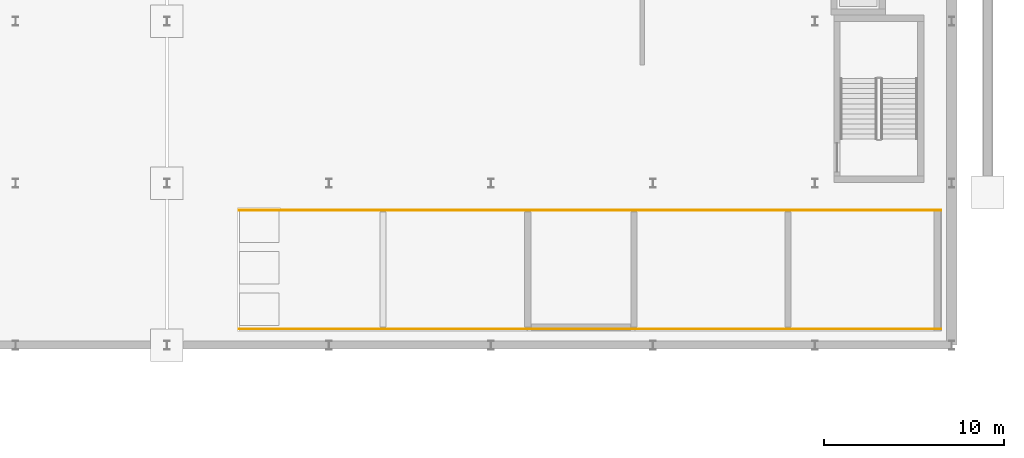
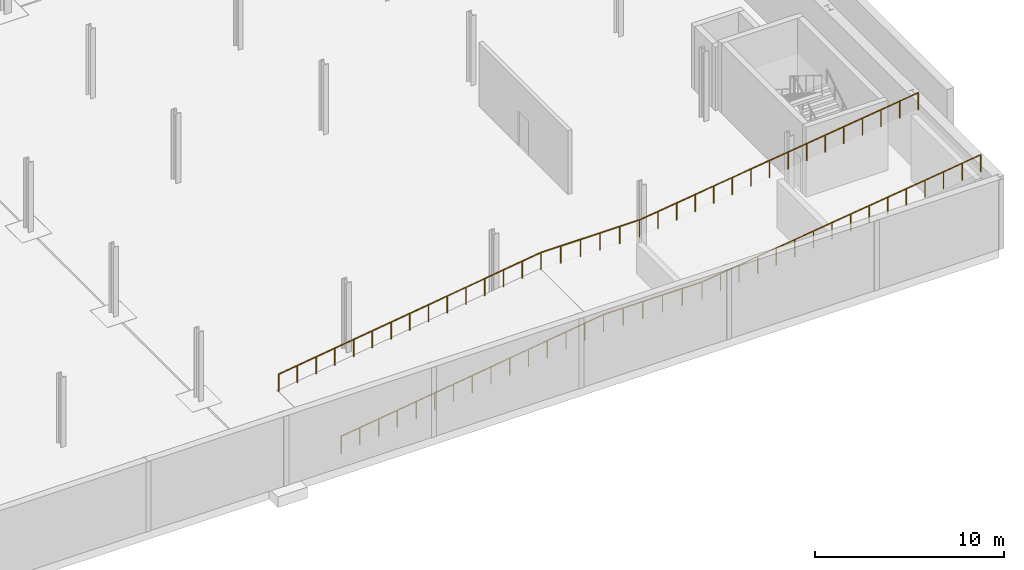
# One storey, part 42 of 45: 2 railings.
"""IFC4 building model written with IfcOpenShell, lengths in metres."""

from ifc_helpers import new_model, si_unit, direction, frame, origin, origin_2d, place, context, subcontext, project, spatial, circle, extrude, material, type_object, element, save


model = new_model("IFC4")

# Units and contexts
model_context = context("Model", 3, precision=1e-05, world=origin(), true_north=direction((0.0, 1.0)))
body_context = subcontext(model_context, "Body", "Model", "MODEL_VIEW")
ifc_project = project(units=[si_unit("LENGTHUNIT", "METRE"), si_unit("AREAUNIT", "SQUARE_METRE"), si_unit("VOLUMEUNIT", "CUBIC_METRE"), si_unit("PLANEANGLEUNIT", "RADIAN"), si_unit("MASSUNIT", "GRAM", prefix="KILO")], contexts=[model_context])

# Site, building, storey
site_placement = place(None, origin())
site = spatial("IfcSite", under=ifc_project, at=site_placement, CompositionType="ELEMENT")
building_placement = place(site_placement, origin())
building = spatial("IfcBuilding", under=site, at=building_placement, Name="Sefraquen Railside Congress Hotel", CompositionType="ELEMENT")
storey_placement = place(building_placement, frame((0.0, 0.0, -4.5)))
storey = spatial("IfcBuildingStorey", under=building, at=storey_placement, Name="B01", CompositionType="ELEMENT", Elevation=-4.5)

# Railings
ifc_material = material(Name="Patinated wrought architectural bronze", Category="metal")
railing_type = type_object("IfcRailingType", Name="TRL-BAL-110", PredefinedType="BALUSTRADE", material=ifc_material)
railing_1_placement = place(storey_placement, frame((132.39990234375, 9.89990234375, 0.0)))
element("IfcRailing", 1, at=railing_1_placement, inside=storey, type_object=railing_type, Name="Vehicle ramp south protective guard", PredefinedType="BALUSTRADE", context=body_context, shape_type="SweptSolid", body=[
    extrude(circle(Radius=0.02392578125, at=origin_2d()), frame((0.0, 0.0, 1.09619140625), z_axis=(0.990256578838, 0.0, 0.139254831399), x_axis=(0.0, 1.0, 0.0)), (0.0, 0.0, 1.0), 16.157470703125),
    extrude(circle(Radius=0.02392578125, at=origin_2d()), frame((16.0, 0.0, 3.34619140625), z_axis=(1.0, 0.0, 0.0), x_axis=(0.0, 1.0, 0.0)), (0.0, 0.0, 1.0), 6.0),
    extrude(circle(Radius=0.02392578125, at=origin_2d()), frame((22.0, 0.0, 3.34619140625), z_axis=(0.99135476599, 0.0, 0.131208719028), x_axis=(0.0, 1.0, 0.0)), (0.0, 0.0, 1.0), 17.148193359375),
    extrude(circle(Radius=0.02099609375, at=origin_2d()), origin(), (0.0, 0.0, 1.0), 1.072021484375),
    extrude(circle(Radius=0.02099609375, at=origin_2d()), frame((1.142822265625, 0.0, 0.16064453125)), (0.0, 0.0, 1.0), 1.072021484375),
    extrude(circle(Radius=0.02099609375, at=origin_2d()), frame((2.28564453125, 0.0, 0.321533203125)), (0.0, 0.0, 1.0), 1.072021484375),
    extrude(circle(Radius=0.02099609375, at=origin_2d()), frame((3.428466796875, 0.0, 0.482177734375)), (0.0, 0.0, 1.0), 1.072021484375),
    extrude(circle(Radius=0.02099609375, at=origin_2d()), frame((4.571533203125, 0.0, 0.642822265625)), (0.0, 0.0, 1.0), 1.072021484375),
    extrude(circle(Radius=0.02099609375, at=origin_2d()), frame((5.71435546875, 0.0, 0.803466796875)), (0.0, 0.0, 1.0), 1.072021484375),
    extrude(circle(Radius=0.02099609375, at=origin_2d()), frame((6.857177734375, 0.0, 0.96435546875)), (0.0, 0.0, 1.0), 1.072021484375),
    extrude(circle(Radius=0.02099609375, at=origin_2d()), frame((8.0, 0.0, 1.125)), (0.0, 0.0, 1.0), 1.072021484375),
    extrude(circle(Radius=0.02099609375, at=origin_2d()), frame((9.142822265625, 0.0, 1.28564453125)), (0.0, 0.0, 1.0), 1.072021484375),
    extrude(circle(Radius=0.02099609375, at=origin_2d()), frame((10.28564453125, 0.0, 1.446533203125)), (0.0, 0.0, 1.0), 1.072021484375),
    extrude(circle(Radius=0.02099609375, at=origin_2d()), frame((11.428466796875, 0.0, 1.607177734375)), (0.0, 0.0, 1.0), 1.072021484375),
    extrude(circle(Radius=0.02099609375, at=origin_2d()), frame((12.571533203125, 0.0, 1.767822265625)), (0.0, 0.0, 1.0), 1.072021484375),
    extrude(circle(Radius=0.02099609375, at=origin_2d()), frame((13.71435546875, 0.0, 1.928466796875)), (0.0, 0.0, 1.0), 1.072021484375),
    extrude(circle(Radius=0.02099609375, at=origin_2d()), frame((14.857177734375, 0.0, 2.08935546875)), (0.0, 0.0, 1.0), 1.072021484375),
    extrude(circle(Radius=0.02099609375, at=origin_2d()), frame((16.0, 0.0, 2.25)), (0.0, 0.0, 1.0), 1.072021484375),
    extrude(circle(Radius=0.02099609375, at=origin_2d()), frame((17.199951171875, 0.0, 2.25)), (0.0, 0.0, 1.0), 1.072021484375),
    extrude(circle(Radius=0.02099609375, at=origin_2d()), frame((18.39990234375, 0.0, 2.25)), (0.0, 0.0, 1.0), 1.072021484375),
    extrude(circle(Radius=0.02099609375, at=origin_2d()), frame((19.60009765625, 0.0, 2.25)), (0.0, 0.0, 1.0), 1.072021484375),
    extrude(circle(Radius=0.02099609375, at=origin_2d()), frame((20.800048828125, 0.0, 2.25)), (0.0, 0.0, 1.0), 1.072021484375),
    extrude(circle(Radius=0.02099609375, at=origin_2d()), frame((22.0, 0.0, 2.25)), (0.0, 0.0, 1.0), 1.072021484375),
    extrude(circle(Radius=0.02099609375, at=origin_2d()), frame((23.13330078125, 0.0, 2.39990234375)), (0.0, 0.0, 1.0), 1.072021484375),
    extrude(circle(Radius=0.02099609375, at=origin_2d()), frame((24.2666015625, 0.0, 2.550048828125)), (0.0, 0.0, 1.0), 1.072021484375),
    extrude(circle(Radius=0.02099609375, at=origin_2d()), frame((25.39990234375, 0.0, 2.699951171875)), (0.0, 0.0, 1.0), 1.072021484375),
    extrude(circle(Radius=0.02099609375, at=origin_2d()), frame((26.533447265625, 0.0, 2.85009765625)), (0.0, 0.0, 1.0), 1.072021484375),
    extrude(circle(Radius=0.02099609375, at=origin_2d()), frame((27.666748046875, 0.0, 3.0)), (0.0, 0.0, 1.0), 1.072021484375),
    extrude(circle(Radius=0.02099609375, at=origin_2d()), frame((28.800048828125, 0.0, 3.14990234375)), (0.0, 0.0, 1.0), 1.072021484375),
    extrude(circle(Radius=0.02099609375, at=origin_2d()), frame((29.933349609375, 0.0, 3.300048828125)), (0.0, 0.0, 1.0), 1.072021484375),
    extrude(circle(Radius=0.02099609375, at=origin_2d()), frame((31.066650390625, 0.0, 3.449951171875)), (0.0, 0.0, 1.0), 1.072021484375),
    extrude(circle(Radius=0.02099609375, at=origin_2d()), frame((32.199951171875, 0.0, 3.60009765625)), (0.0, 0.0, 1.0), 1.072021484375),
    extrude(circle(Radius=0.02099609375, at=origin_2d()), frame((33.333251953125, 0.0, 3.75)), (0.0, 0.0, 1.0), 1.072021484375),
    extrude(circle(Radius=0.02099609375, at=origin_2d()), frame((34.466552734375, 0.0, 3.89990234375)), (0.0, 0.0, 1.0), 1.072021484375),
    extrude(circle(Radius=0.02099609375, at=origin_2d()), frame((35.60009765625, 0.0, 4.050048828125)), (0.0, 0.0, 1.0), 1.072021484375),
    extrude(circle(Radius=0.02099609375, at=origin_2d()), frame((36.7333984375, 0.0, 4.199951171875)), (0.0, 0.0, 1.0), 1.072021484375),
    extrude(circle(Radius=0.02099609375, at=origin_2d()), frame((37.86669921875, 0.0, 4.35009765625)), (0.0, 0.0, 1.0), 1.072021484375),
    extrude(circle(Radius=0.02099609375, at=origin_2d()), frame((39.0, 0.0, 4.5)), (0.0, 0.0, 1.0), 1.072021484375),
])
railing_2_placement = place(storey_placement, frame((132.39990234375, 16.5, 0.0)))
element("IfcRailing", 2, at=railing_2_placement, inside=storey, type_object=railing_type, Name="Vehicle ramp north protective guard", PredefinedType="BALUSTRADE", context=body_context, shape_type="SweptSolid", body=[
    extrude(circle(Radius=0.02392578125, at=origin_2d()), frame((0.0, 0.0, 1.09619140625), z_axis=(0.990256578838, 0.0, 0.139254831399), x_axis=(0.0, 1.0, 0.0)), (0.0, 0.0, 1.0), 16.157470703125),
    extrude(circle(Radius=0.02392578125, at=origin_2d()), frame((16.0, 0.0, 3.34619140625), z_axis=(1.0, 0.0, 0.0), x_axis=(0.0, 1.0, 0.0)), (0.0, 0.0, 1.0), 6.0),
    extrude(circle(Radius=0.02392578125, at=origin_2d()), frame((22.0, 0.0, 3.34619140625), z_axis=(0.99135476599, 0.0, 0.131208719028), x_axis=(0.0, 1.0, 0.0)), (0.0, 0.0, 1.0), 17.148193359375),
    extrude(circle(Radius=0.02099609375, at=origin_2d()), origin(), (0.0, 0.0, 1.0), 1.072021484375),
    extrude(circle(Radius=0.02099609375, at=origin_2d()), frame((1.142822265625, 0.0, 0.16064453125)), (0.0, 0.0, 1.0), 1.072021484375),
    extrude(circle(Radius=0.02099609375, at=origin_2d()), frame((2.28564453125, 0.0, 0.321533203125)), (0.0, 0.0, 1.0), 1.072021484375),
    extrude(circle(Radius=0.02099609375, at=origin_2d()), frame((3.428466796875, 0.0, 0.482177734375)), (0.0, 0.0, 1.0), 1.072021484375),
    extrude(circle(Radius=0.02099609375, at=origin_2d()), frame((4.571533203125, 0.0, 0.642822265625)), (0.0, 0.0, 1.0), 1.072021484375),
    extrude(circle(Radius=0.02099609375, at=origin_2d()), frame((5.71435546875, 0.0, 0.803466796875)), (0.0, 0.0, 1.0), 1.072021484375),
    extrude(circle(Radius=0.02099609375, at=origin_2d()), frame((6.857177734375, 0.0, 0.96435546875)), (0.0, 0.0, 1.0), 1.072021484375),
    extrude(circle(Radius=0.02099609375, at=origin_2d()), frame((8.0, 0.0, 1.125)), (0.0, 0.0, 1.0), 1.072021484375),
    extrude(circle(Radius=0.02099609375, at=origin_2d()), frame((9.142822265625, 0.0, 1.28564453125)), (0.0, 0.0, 1.0), 1.072021484375),
    extrude(circle(Radius=0.02099609375, at=origin_2d()), frame((10.28564453125, 0.0, 1.446533203125)), (0.0, 0.0, 1.0), 1.072021484375),
    extrude(circle(Radius=0.02099609375, at=origin_2d()), frame((11.428466796875, 0.0, 1.607177734375)), (0.0, 0.0, 1.0), 1.072021484375),
    extrude(circle(Radius=0.02099609375, at=origin_2d()), frame((12.571533203125, 0.0, 1.767822265625)), (0.0, 0.0, 1.0), 1.072021484375),
    extrude(circle(Radius=0.02099609375, at=origin_2d()), frame((13.71435546875, 0.0, 1.928466796875)), (0.0, 0.0, 1.0), 1.072021484375),
    extrude(circle(Radius=0.02099609375, at=origin_2d()), frame((14.857177734375, 0.0, 2.08935546875)), (0.0, 0.0, 1.0), 1.072021484375),
    extrude(circle(Radius=0.02099609375, at=origin_2d()), frame((16.0, 0.0, 2.25)), (0.0, 0.0, 1.0), 1.072021484375),
    extrude(circle(Radius=0.02099609375, at=origin_2d()), frame((17.199951171875, 0.0, 2.25)), (0.0, 0.0, 1.0), 1.072021484375),
    extrude(circle(Radius=0.02099609375, at=origin_2d()), frame((18.39990234375, 0.0, 2.25)), (0.0, 0.0, 1.0), 1.072021484375),
    extrude(circle(Radius=0.02099609375, at=origin_2d()), frame((19.60009765625, 0.0, 2.25)), (0.0, 0.0, 1.0), 1.072021484375),
    extrude(circle(Radius=0.02099609375, at=origin_2d()), frame((20.800048828125, 0.0, 2.25)), (0.0, 0.0, 1.0), 1.072021484375),
    extrude(circle(Radius=0.02099609375, at=origin_2d()), frame((22.0, 0.0, 2.25)), (0.0, 0.0, 1.0), 1.072021484375),
    extrude(circle(Radius=0.02099609375, at=origin_2d()), frame((23.13330078125, 0.0, 2.39990234375)), (0.0, 0.0, 1.0), 1.072021484375),
    extrude(circle(Radius=0.02099609375, at=origin_2d()), frame((24.2666015625, 0.0, 2.550048828125)), (0.0, 0.0, 1.0), 1.072021484375),
    extrude(circle(Radius=0.02099609375, at=origin_2d()), frame((25.39990234375, 0.0, 2.699951171875)), (0.0, 0.0, 1.0), 1.072021484375),
    extrude(circle(Radius=0.02099609375, at=origin_2d()), frame((26.533447265625, 0.0, 2.85009765625)), (0.0, 0.0, 1.0), 1.072021484375),
    extrude(circle(Radius=0.02099609375, at=origin_2d()), frame((27.666748046875, 0.0, 3.0)), (0.0, 0.0, 1.0), 1.072021484375),
    extrude(circle(Radius=0.02099609375, at=origin_2d()), frame((28.800048828125, 0.0, 3.14990234375)), (0.0, 0.0, 1.0), 1.072021484375),
    extrude(circle(Radius=0.02099609375, at=origin_2d()), frame((29.933349609375, 0.0, 3.300048828125)), (0.0, 0.0, 1.0), 1.072021484375),
    extrude(circle(Radius=0.02099609375, at=origin_2d()), frame((31.066650390625, 0.0, 3.449951171875)), (0.0, 0.0, 1.0), 1.072021484375),
    extrude(circle(Radius=0.02099609375, at=origin_2d()), frame((32.199951171875, 0.0, 3.60009765625)), (0.0, 0.0, 1.0), 1.072021484375),
    extrude(circle(Radius=0.02099609375, at=origin_2d()), frame((33.333251953125, 0.0, 3.75)), (0.0, 0.0, 1.0), 1.072021484375),
    extrude(circle(Radius=0.02099609375, at=origin_2d()), frame((34.466552734375, 0.0, 3.89990234375)), (0.0, 0.0, 1.0), 1.072021484375),
    extrude(circle(Radius=0.02099609375, at=origin_2d()), frame((35.60009765625, 0.0, 4.050048828125)), (0.0, 0.0, 1.0), 1.072021484375),
    extrude(circle(Radius=0.02099609375, at=origin_2d()), frame((36.7333984375, 0.0, 4.199951171875)), (0.0, 0.0, 1.0), 1.072021484375),
    extrude(circle(Radius=0.02099609375, at=origin_2d()), frame((37.86669921875, 0.0, 4.35009765625)), (0.0, 0.0, 1.0), 1.072021484375),
    extrude(circle(Radius=0.02099609375, at=origin_2d()), frame((39.0, 0.0, 4.5)), (0.0, 0.0, 1.0), 1.072021484375),
])

save(model, "model.ifc")
